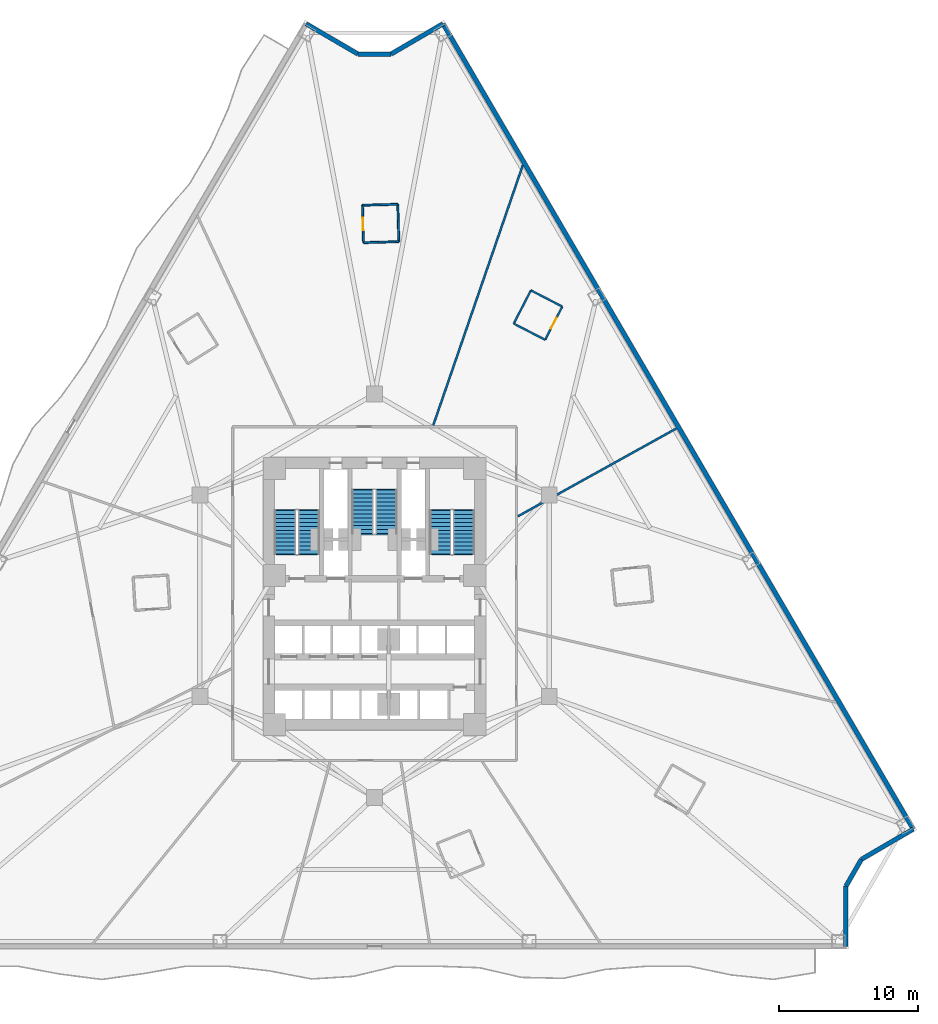
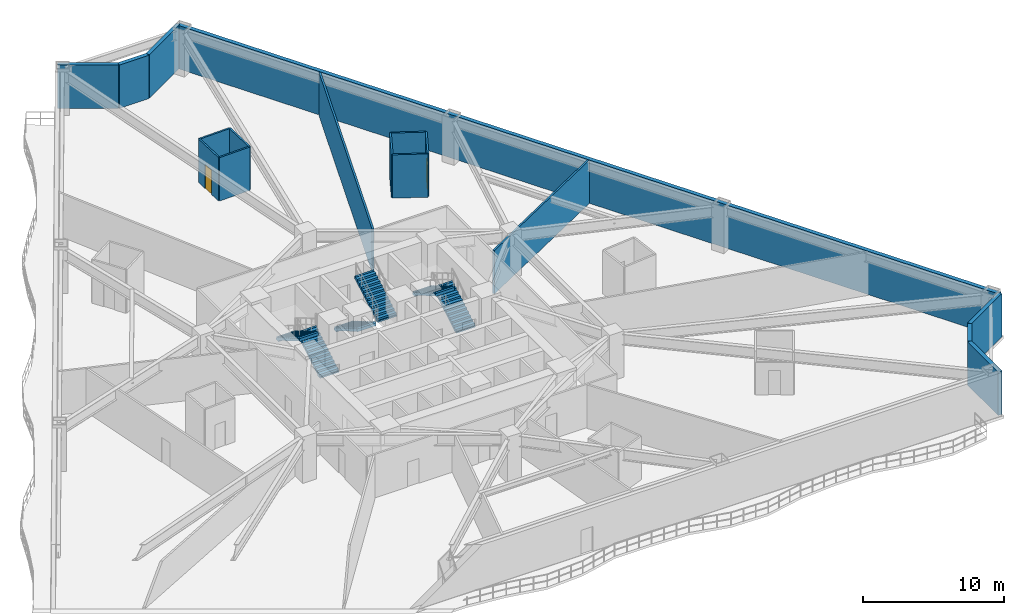
# One storey, part 7 of 11: 17 walls, 6 stair flights, 2 doors, 2 openings, 3 elements without a shape of their own.
"""IFC4 building model written with IfcOpenShell, lengths in metres."""

from ifc_helpers import new_model, si_unit, direction, frame, frame_2d, origin, place, context, subcontext, project, spatial, polyline, rectangle, outline, extrude, material, layer, layer_set, type_object, element, fill, aggregate, save


model = new_model("IFC4")

# Units and contexts
model_context = context("Model", 3, precision=1e-05, world=origin(), true_north=direction((0.0, 1.0)))
body_context = subcontext(model_context, "Body", "Model", "MODEL_VIEW")
ifc_project = project(units=[si_unit("LENGTHUNIT", "METRE"), si_unit("AREAUNIT", "SQUARE_METRE"), si_unit("VOLUMEUNIT", "CUBIC_METRE"), si_unit("PLANEANGLEUNIT", "RADIAN"), si_unit("MASSUNIT", "GRAM", prefix="KILO")], contexts=[model_context])

# Site, building, storey
site_placement = place(None, origin())
site = spatial("IfcSite", under=ifc_project, at=site_placement, CompositionType="ELEMENT")
building_placement = place(site_placement, origin())
building = spatial("IfcBuilding", under=site, at=building_placement, Name="Apsidion Concourse Tower", CompositionType="ELEMENT")
storey_placement = place(building_placement, frame((0.0, 0.0, 46.39990234375)))
storey = spatial("IfcBuildingStorey", under=building, at=storey_placement, Name="L09", CompositionType="ELEMENT", Elevation=46.39990234375)

# Walls
ifc_material_1 = material(Name="Precast concrete C40/50", Category="concrete")
ifc_layer_1 = layer(ifc_material_1, 0.320068359375)
ifc_layer_set_1 = layer_set([ifc_layer_1], Name="Precast concrete C40/50")
wall_type_1 = type_object("IfcWallType", Name="WL-EXT-320", PredefinedType="STANDARD", material=ifc_layer_set_1)
wall_1_placement = place(storey_placement, frame((4.9228515625, 41.121826171875, 0.0), z_axis=(0.0, 0.0, 1.0), x_axis=(0.504213113214, -0.863579258935, 0.0)))
element("IfcWall", 1, at=wall_1_placement, inside=storey, type_object=wall_type_1, Name="L09 Precast Stone Facade Wall 01", PredefinedType="STANDARD", context=body_context, shape_type="SweptSolid", body=[
    extrude(rectangle(XDim=67.041015625, YDim=0.320068359375, at=frame_2d((33.5205078125, 0.0))), origin(), (0.0, 0.0, 1.0), 3.75),
])
wall_2_placement = place(storey_placement, frame((38.725830078125, -16.7734375, 0.0), z_axis=(0.0, 0.0, 1.0), x_axis=(-0.863569936823, -0.504229079105, 0.0)))
element("IfcWall", 2, at=wall_2_placement, inside=storey, type_object=wall_type_1, Name="L09 Precast Stone Facade Wall 02", PredefinedType="STANDARD", context=body_context, shape_type="SweptSolid", body=[
    extrude(rectangle(XDim=4.32373046875, YDim=0.320068359375, at=frame_2d((2.161865234375, 0.0))), origin(), (0.0, 0.0, 1.0), 3.75),
])
wall_3_placement = place(storey_placement, frame((34.991943359375, -18.95361328125, 0.0), z_axis=(0.0, 0.0, 1.0), x_axis=(-0.497881323344, -0.867245171717, 0.0)))
element("IfcWall", 3, at=wall_3_placement, inside=storey, type_object=wall_type_1, Name="L09 Precast Stone Facade Wall 03", PredefinedType="STANDARD", context=body_context, shape_type="SweptSolid", body=[
    extrude(rectangle(XDim=2.216796875, YDim=0.320068359375, at=frame_2d((1.1083984375, 0.0))), origin(), (0.0, 0.0, 1.0), 3.75),
])
wall_4_placement = place(storey_placement, frame((33.88818359375, -20.876220703125, 0.0), z_axis=(0.0, 0.0, 1.0), x_axis=(0.0, -1.0, 0.0)))
element("IfcWall", 4, at=wall_4_placement, inside=storey, type_object=wall_type_1, Name="L09 Precast Stone Facade Wall 04", PredefinedType="STANDARD", context=body_context, shape_type="SweptSolid", body=[
    extrude(rectangle(XDim=4.32373046875, YDim=0.320068359375, at=frame_2d((2.161865234375, 0.0))), origin(), (0.0, 0.0, 1.0), 3.75),
])
wall_5_placement = place(storey_placement, frame((-4.9228515625, 41.121826171875, 0.0), z_axis=(0.0, 0.0, 1.0), x_axis=(0.863588414101, -0.50419743259, 0.0)))
element("IfcWall", 5, at=wall_5_placement, inside=storey, type_object=wall_type_1, Name="L09 Precast Stone Facade Wall 10", PredefinedType="STANDARD", context=body_context, shape_type="SweptSolid", body=[
    extrude(rectangle(XDim=4.324462890625, YDim=0.320068359375, at=frame_2d((2.162109375, 0.0))), origin(), (0.0, 0.0, 1.0), 3.75),
])
wall_6_placement = place(storey_placement, frame((-1.188232421875, 38.94140625, 0.0), z_axis=(0.0, 0.0, 1.0), x_axis=(1.0, 0.0, 0.0)))
element("IfcWall", 6, at=wall_6_placement, inside=storey, type_object=wall_type_1, Name="L09 Precast Stone Facade Wall 11", PredefinedType="STANDARD", context=body_context, shape_type="SweptSolid", body=[
    extrude(rectangle(XDim=2.37646484375, YDim=0.320068359375, at=frame_2d((1.188232421875, 0.0))), origin(), (0.0, 0.0, 1.0), 3.75),
])
wall_7_placement = place(storey_placement, frame((1.188232421875, 38.94140625, 0.0), z_axis=(0.0, 0.0, 1.0), x_axis=(0.863588414101, 0.50419743259, 0.0)))
element("IfcWall", 7, at=wall_7_placement, inside=storey, type_object=wall_type_1, Name="L09 Precast Stone Facade Wall 12", PredefinedType="STANDARD", context=body_context, shape_type="SweptSolid", body=[
    extrude(rectangle(XDim=4.324462890625, YDim=0.320068359375, at=frame_2d((2.162109375, 0.0))), origin(), (0.0, 0.0, 1.0), 3.75),
])

# Wall, opening, door
ifc_material_2 = material(Name="Gypsum plasterboard partition")
ifc_layer_2 = layer(ifc_material_2, 0.139892578125)
ifc_layer_set_2 = layer_set([ifc_layer_2], Name="Gypsum plasterboard partition")
wall_type_2 = type_object("IfcWallType", Name="WL-INT-PAR-140", PredefinedType="PARTITIONING", material=ifc_layer_set_2)
wall_8_placement = place(storey_placement, frame((12.263427734375, 18.403076171875, 0.0), z_axis=(0.0, 0.0, 1.0), x_axis=(0.45868453164, 0.888599178727, 0.0)))
wall_8 = element("IfcWall", 8, at=wall_8_placement, inside=storey, type_object=wall_type_2, Name="L09 Interior Partition WL-L09-POD-ENS07-S1", PredefinedType="PARTITIONING", context=body_context, shape_type="SweptSolid", body=[
    extrude(rectangle(XDim=2.68994140625, YDim=0.139892578125, at=frame_2d((1.344970703125, 0.0))), origin(), (0.0, 0.0, 1.0), 3.75),
])
opening_1_placement = place(wall_8_placement, frame((0.905029296875, 0.0, 0.0)))
opening_1 = element("IfcOpeningElement", 9, at=opening_1_placement, cuts=wall_8, Name="Opening D-03R", PredefinedType="OPENING", context=body_context, shape_type="SweptSolid", body=[
    extrude(rectangle(XDim=0.8798828125, YDim=2.10009765625, at=frame_2d((0.43994140625, 1.050048828125))), frame((0.0, 0.080078125, 0.0), z_axis=(0.0, -1.0, 0.0), x_axis=(1.0, 0.0, 0.0)), (0.0, 0.0, 1.0), 0.159912109375),
])
ifc_material_3 = material(Name="Anodised aluminium EN AW-6063 T6", Category="aluminium")
door_type_1 = type_object("IfcDoorType", Name="DR-INT-D03R", OperationType="SINGLE_SWING_RIGHT", PredefinedType="DOOR", material=ifc_material_3)
door_1_placement = place(opening_1_placement, origin())
door_1 = element("IfcDoor", 10, at=door_1_placement, inside=storey, type_object=door_type_1, Name="L09 Guest En-Suite Bathroom Door ENS07", OperationType="SINGLE_SWING_RIGHT", OverallHeight=2.10009765625, OverallWidth=0.8798828125, PredefinedType="DOOR", context=body_context, shape_type="SweptSolid", body=[
    extrude(rectangle(XDim=0.8798828125, YDim=2.10009765625, at=frame_2d((0.43994140625, 1.050048828125))), frame((0.0, 0.02490234375, 0.0), z_axis=(0.0, -1.0, 0.0), x_axis=(1.0, 0.0, 0.0)), (0.0, 0.0, 1.0), 0.050048828125),
])
fill(opening_1, door_1)

# Walls
wall_9_placement = place(storey_placement, frame((13.497314453125, 20.79345703125, 0.0), z_axis=(0.0, 0.0, 1.0), x_axis=(-0.888625711224, 0.458633127186, 0.0)))
element("IfcWall", 11, at=wall_9_placement, inside=storey, type_object=wall_type_2, Name="L09 Interior Partition WL-L09-POD-ENS07-S2", PredefinedType="PARTITIONING", context=body_context, shape_type="SweptSolid", body=[
    extrude(rectangle(XDim=2.540283203125, YDim=0.139892578125, at=frame_2d((1.27001953125, 0.0))), origin(), (0.0, 0.0, 1.0), 3.75),
])
wall_10_placement = place(storey_placement, frame((11.239990234375, 21.95849609375, 0.0), z_axis=(0.0, 0.0, 1.0), x_axis=(-0.458612864877, -0.888636168614, 0.0)))
element("IfcWall", 12, at=wall_10_placement, inside=storey, type_object=wall_type_2, Name="L09 Interior Partition WL-L09-POD-ENS07-S3", PredefinedType="PARTITIONING", context=body_context, shape_type="SweptSolid", body=[
    extrude(rectangle(XDim=2.68994140625, YDim=0.139892578125, at=frame_2d((1.344970703125, 0.0))), origin(), (0.0, 0.0, 1.0), 3.75),
])
wall_11_placement = place(storey_placement, frame((10.00634765625, 19.568115234375, 0.0), z_axis=(0.0, 0.0, 1.0), x_axis=(0.888605492606, -0.458672299699, 0.0)))
element("IfcWall", 13, at=wall_11_placement, inside=storey, type_object=wall_type_2, Name="L09 Interior Partition WL-L09-POD-ENS07-S4", PredefinedType="PARTITIONING", context=body_context, shape_type="SweptSolid", body=[
    extrude(rectangle(XDim=2.5400390625, YDim=0.139892578125, at=frame_2d((1.27001953125, 0.0))), origin(), (0.0, 0.0, 1.0), 3.75),
])
wall_12_placement = place(storey_placement, frame((1.74560546875, 25.458740234375, 0.0), z_axis=(0.0, 0.0, 1.0), x_axis=(-0.027953481145, 0.999609225093, 0.0)))
element("IfcWall", 14, at=wall_12_placement, inside=storey, type_object=wall_type_2, Name="L09 Interior Partition WL-L09-POD-ENS08-S1", PredefinedType="PARTITIONING", context=body_context, shape_type="SweptSolid", body=[
    extrude(rectangle(XDim=2.68994140625, YDim=0.139892578125, at=frame_2d((1.344970703125, 0.0))), origin(), (0.0, 0.0, 1.0), 3.75),
])
wall_13_placement = place(storey_placement, frame((1.67041015625, 28.147705078125, 0.0), z_axis=(0.0, 0.0, 1.0), x_axis=(-0.999611450686, -0.027873780836, 0.0)))
element("IfcWall", 15, at=wall_13_placement, inside=storey, type_object=wall_type_2, Name="L09 Interior Partition WL-L09-POD-ENS08-S2", PredefinedType="PARTITIONING", context=body_context, shape_type="SweptSolid", body=[
    extrude(rectangle(XDim=2.5400390625, YDim=0.139892578125, at=frame_2d((1.27001953125, 0.0))), origin(), (0.0, 0.0, 1.0), 3.75),
])

# Wall, opening, door
wall_14_placement = place(storey_placement, frame((-0.86865234375, 28.076904296875, 0.0), z_axis=(0.0, 0.0, 1.0), x_axis=(0.027950945363, -0.999609296002, 0.0)))
wall_14 = element("IfcWall", 16, at=wall_14_placement, inside=storey, type_object=wall_type_2, Name="L09 Interior Partition WL-L09-POD-ENS08-S3", PredefinedType="PARTITIONING", context=body_context, shape_type="SweptSolid", body=[
    extrude(rectangle(XDim=2.690185546875, YDim=0.139892578125, at=frame_2d((1.34521484375, 0.0))), origin(), (0.0, 0.0, 1.0), 3.75),
])
opening_2_placement = place(wall_14_placement, frame((0.905029296875, 0.0, 0.0)))
opening_2 = element("IfcOpeningElement", 17, at=opening_2_placement, cuts=wall_14, Name="Opening D-03L", PredefinedType="OPENING", context=body_context, shape_type="SweptSolid", body=[
    extrude(rectangle(XDim=0.8798828125, YDim=2.10009765625, at=frame_2d((0.43994140625, 1.050048828125))), frame((0.0, 0.080078125, 0.0), z_axis=(0.0, -1.0, 0.0), x_axis=(1.0, 0.0, 0.0)), (0.0, 0.0, 1.0), 0.159912109375),
])
door_type_2 = type_object("IfcDoorType", Name="DR-INT-D03L", OperationType="SINGLE_SWING_LEFT", PredefinedType="DOOR", material=ifc_material_3)
door_2_placement = place(opening_2_placement, origin())
door_2 = element("IfcDoor", 18, at=door_2_placement, inside=storey, type_object=door_type_2, Name="L09 Guest En-Suite Bathroom Door ENS08", OperationType="SINGLE_SWING_LEFT", OverallHeight=2.10009765625, OverallWidth=0.8798828125, PredefinedType="DOOR", context=body_context, shape_type="SweptSolid", body=[
    extrude(rectangle(XDim=0.8798828125, YDim=2.10009765625, at=frame_2d((0.43994140625, 1.050048828125))), frame((0.0, 0.02490234375, 0.0), z_axis=(0.0, -1.0, 0.0), x_axis=(1.0, 0.0, 0.0)), (0.0, 0.0, 1.0), 0.050048828125),
])
fill(opening_2, door_2)

# Walls
wall_15_placement = place(storey_placement, frame((-0.79345703125, 25.3876953125, 0.0), z_axis=(0.0, 0.0, 1.0), x_axis=(0.99960876799, 0.027969822258, 0.0)))
element("IfcWall", 19, at=wall_15_placement, inside=storey, type_object=wall_type_2, Name="L09 Interior Partition WL-L09-POD-ENS08-S4", PredefinedType="PARTITIONING", context=body_context, shape_type="SweptSolid", body=[
    extrude(rectangle(XDim=2.5400390625, YDim=0.139892578125, at=frame_2d((1.27001953125, 0.0))), origin(), (0.0, 0.0, 1.0), 3.75),
])
ifc_layer_3 = layer(ifc_material_2, 0.14990234375)
ifc_layer_set_3 = layer_set([ifc_layer_3], Name="Gypsum plasterboard partition")
wall_type_3 = type_object("IfcWallType", Name="WL-INT-PAR-150", PredefinedType="PARTITIONING", material=ifc_layer_set_3)
wall_16_placement = place(storey_placement, frame((10.304931640625, 5.712158203125, 0.0), z_axis=(0.0, 0.0, 1.0), x_axis=(0.874623369723, 0.484803012711, 0.0)))
element("IfcWall", 20, at=wall_16_placement, inside=storey, type_object=wall_type_3, Name="L09 Interior Partition WL-L09-RAD-01-1", PredefinedType="PARTITIONING", context=body_context, shape_type="SweptSolid", body=[
    extrude(rectangle(XDim=13.034423828125, YDim=0.14990234375, at=frame_2d((6.51708984375, 0.0))), origin(), (0.0, 0.0, 1.0), 3.75),
])
wall_17_placement = place(storey_placement, frame((4.2197265625, 12.2548828125, 0.0), z_axis=(0.0, 0.0, 1.0), x_axis=(0.325564509199, 0.945519830755, 0.0)))
element("IfcWall", 21, at=wall_17_placement, inside=storey, type_object=wall_type_3, Name="L09 Interior Partition WL-L09-RAD-02-1", PredefinedType="PARTITIONING", context=body_context, shape_type="SweptSolid", body=[
    extrude(rectangle(XDim=19.77490234375, YDim=0.14990234375, at=frame_2d((9.887451171875, 0.0))), origin(), (0.0, 0.0, 1.0), 3.75),
])

# Stair, stair flights
stair_type = type_object("IfcStairType", Name="ST-DL-1550", PredefinedType="HALF_TURN_STAIR", material=ifc_material_1)
stair_1_placement = place(storey_placement, origin())
stair_1 = element("IfcStair", 22, at=stair_1_placement, inside=storey, type_object=stair_type, Name="L09 Protected Core Exit Stair ST1", PredefinedType="HALF_TURN_STAIR")
stair_flight_type = type_object("IfcStairFlightType", Name="SFL-RC-1550", PredefinedType="STRAIGHT", material=ifc_material_1)
stair_flight_1_placement = place(storey_placement, frame((-4.72509765625, 3.0, 0.0), z_axis=(0.0, 0.0, 1.0), x_axis=(0.0, 1.0, 0.0)))
stair_flight_1 = element("IfcStairFlight", 23, at=stair_flight_1_placement, type_object=stair_flight_type, Name="ST1 flight 1", NumberOfRisers=12, NumberOfTreads=11, PredefinedType="STRAIGHT", RiserHeight=0.166666667, TreadLength=0.285, context=body_context, shape_type="SweptSolid", body=[
    extrude(outline(polyline([(-0.080078125, -0.1123046875), (-0.080078125, 0.0), (0.0, 0.0), (0.0, 0.166748046875), (0.284912109375, 0.166748046875), (0.284912109375, 0.333251953125), (0.570068359375, 0.333251953125), (0.570068359375, 0.5), (0.85498046875, 0.5), (0.85498046875, 0.666748046875), (1.139892578125, 0.666748046875), (1.139892578125, 0.833251953125), (1.425048828125, 0.833251953125), (1.425048828125, 1.0), (1.7099609375, 1.0), (1.7099609375, 1.166748046875), (1.9951171875, 1.166748046875), (1.9951171875, 1.333251953125), (2.280029296875, 1.333251953125), (2.280029296875, 1.5), (2.56494140625, 1.5), (2.56494140625, 1.666748046875), (2.85009765625, 1.666748046875), (2.85009765625, 1.833251953125), (3.135009765625, 1.833251953125), (3.135009765625, 2.0), (3.215087890625, 1.916748046875), (3.215087890625, 1.65966796875), (3.135009765625, 1.65966796875), (0.296875, 0.0), (0.296875, -0.1123046875), (-0.080078125, -0.1123046875)])), frame((0.0, 0.77490234375, 0.0), z_axis=(0.0, -1.0, 0.0), x_axis=(1.0, 0.0, 0.0)), (0.0, 0.0, 1.0), 1.550048828125),
])
stair_flight_2_placement = place(storey_placement, frame((-6.425048828125, 6.135009765625, 2.0), z_axis=(0.0, 0.0, 1.0), x_axis=(0.0, -1.0, 0.0)))
stair_flight_2 = element("IfcStairFlight", 24, at=stair_flight_2_placement, type_object=stair_flight_type, Name="ST1 flight 2", NumberOfRisers=12, NumberOfTreads=11, PredefinedType="STRAIGHT", RiserHeight=0.166666667, TreadLength=0.285, context=body_context, shape_type="SweptSolid", body=[
    extrude(outline(polyline([(-0.080078125, -0.1123046875), (-0.080078125, 0.0), (0.0, 0.0), (0.0, 0.166748046875), (0.284912109375, 0.166748046875), (0.284912109375, 0.333251953125), (0.570068359375, 0.333251953125), (0.570068359375, 0.5), (0.85498046875, 0.5), (0.85498046875, 0.666748046875), (1.139892578125, 0.666748046875), (1.139892578125, 0.833251953125), (1.425048828125, 0.833251953125), (1.425048828125, 1.0), (1.7099609375, 1.0), (1.7099609375, 1.166748046875), (1.9951171875, 1.166748046875), (1.9951171875, 1.333251953125), (2.280029296875, 1.333251953125), (2.280029296875, 1.5), (2.56494140625, 1.5), (2.56494140625, 1.666748046875), (2.85009765625, 1.666748046875), (2.85009765625, 1.833251953125), (3.135009765625, 1.833251953125), (3.135009765625, 2.0), (3.215087890625, 1.916748046875), (3.215087890625, 1.65966796875), (3.135009765625, 1.65966796875), (0.296875, 0.0), (0.296875, -0.1123046875), (-0.080078125, -0.1123046875)])), frame((0.0, 0.77490234375, 0.0), z_axis=(0.0, -1.0, 0.0), x_axis=(1.0, 0.0, 0.0)), (0.0, 0.0, 1.0), 1.550048828125),
])
aggregate(stair_1, [stair_flight_1, stair_flight_2])

stair_2_placement = place(storey_placement, origin())
stair_2 = element("IfcStair", 25, at=stair_2_placement, inside=storey, type_object=stair_type, Name="L09 Protected Core Exit Stair ST2", PredefinedType="HALF_TURN_STAIR")
stair_flight_3_placement = place(storey_placement, frame((6.425048828125, 3.0, 0.0), z_axis=(0.0, 0.0, 1.0), x_axis=(0.0, 1.0, 0.0)))
stair_flight_3 = element("IfcStairFlight", 26, at=stair_flight_3_placement, type_object=stair_flight_type, Name="ST2 flight 1", NumberOfRisers=12, NumberOfTreads=11, PredefinedType="STRAIGHT", RiserHeight=0.166666667, TreadLength=0.285, context=body_context, shape_type="SweptSolid", body=[
    extrude(outline(polyline([(-0.080078125, -0.1123046875), (-0.080078125, 0.0), (0.0, 0.0), (0.0, 0.166748046875), (0.284912109375, 0.166748046875), (0.284912109375, 0.333251953125), (0.570068359375, 0.333251953125), (0.570068359375, 0.5), (0.85498046875, 0.5), (0.85498046875, 0.666748046875), (1.139892578125, 0.666748046875), (1.139892578125, 0.833251953125), (1.425048828125, 0.833251953125), (1.425048828125, 1.0), (1.7099609375, 1.0), (1.7099609375, 1.166748046875), (1.9951171875, 1.166748046875), (1.9951171875, 1.333251953125), (2.280029296875, 1.333251953125), (2.280029296875, 1.5), (2.56494140625, 1.5), (2.56494140625, 1.666748046875), (2.85009765625, 1.666748046875), (2.85009765625, 1.833251953125), (3.135009765625, 1.833251953125), (3.135009765625, 2.0), (3.215087890625, 1.916748046875), (3.215087890625, 1.65966796875), (3.135009765625, 1.65966796875), (0.296875, 0.0), (0.296875, -0.1123046875), (-0.080078125, -0.1123046875)])), frame((0.0, 0.77490234375, 0.0), z_axis=(0.0, -1.0, 0.0), x_axis=(1.0, 0.0, 0.0)), (0.0, 0.0, 1.0), 1.550048828125),
])
stair_flight_4_placement = place(storey_placement, frame((4.72509765625, 6.135009765625, 2.0), z_axis=(0.0, 0.0, 1.0), x_axis=(0.0, -1.0, 0.0)))
stair_flight_4 = element("IfcStairFlight", 27, at=stair_flight_4_placement, type_object=stair_flight_type, Name="ST2 flight 2", NumberOfRisers=12, NumberOfTreads=11, PredefinedType="STRAIGHT", RiserHeight=0.166666667, TreadLength=0.285, context=body_context, shape_type="SweptSolid", body=[
    extrude(outline(polyline([(-0.080078125, -0.1123046875), (-0.080078125, 0.0), (0.0, 0.0), (0.0, 0.166748046875), (0.284912109375, 0.166748046875), (0.284912109375, 0.333251953125), (0.570068359375, 0.333251953125), (0.570068359375, 0.5), (0.85498046875, 0.5), (0.85498046875, 0.666748046875), (1.139892578125, 0.666748046875), (1.139892578125, 0.833251953125), (1.425048828125, 0.833251953125), (1.425048828125, 1.0), (1.7099609375, 1.0), (1.7099609375, 1.166748046875), (1.9951171875, 1.166748046875), (1.9951171875, 1.333251953125), (2.280029296875, 1.333251953125), (2.280029296875, 1.5), (2.56494140625, 1.5), (2.56494140625, 1.666748046875), (2.85009765625, 1.666748046875), (2.85009765625, 1.833251953125), (3.135009765625, 1.833251953125), (3.135009765625, 2.0), (3.215087890625, 1.916748046875), (3.215087890625, 1.65966796875), (3.135009765625, 1.65966796875), (0.296875, 0.0), (0.296875, -0.1123046875), (-0.080078125, -0.1123046875)])), frame((0.0, 0.77490234375, 0.0), z_axis=(0.0, -1.0, 0.0), x_axis=(1.0, 0.0, 0.0)), (0.0, 0.0, 1.0), 1.550048828125),
])
aggregate(stair_2, [stair_flight_3, stair_flight_4])

stair_3_placement = place(storey_placement, origin())
stair_3 = element("IfcStair", 28, at=stair_3_placement, inside=storey, type_object=stair_type, Name="L09 Protected Core Exit Stair ST3", PredefinedType="HALF_TURN_STAIR")
stair_flight_5_placement = place(storey_placement, frame((-0.85009765625, 7.60009765625, 0.0), z_axis=(0.0, 0.0, 1.0), x_axis=(0.0, -1.0, 0.0)))
stair_flight_5 = element("IfcStairFlight", 29, at=stair_flight_5_placement, type_object=stair_flight_type, Name="ST3 flight 1", NumberOfRisers=12, NumberOfTreads=11, PredefinedType="STRAIGHT", RiserHeight=0.166666667, TreadLength=0.285, context=body_context, shape_type="SweptSolid", body=[
    extrude(outline(polyline([(-0.080078125, -0.1123046875), (-0.080078125, 0.0), (0.0, 0.0), (0.0, 0.166748046875), (0.284912109375, 0.166748046875), (0.284912109375, 0.333251953125), (0.570068359375, 0.333251953125), (0.570068359375, 0.5), (0.85498046875, 0.5), (0.85498046875, 0.666748046875), (1.139892578125, 0.666748046875), (1.139892578125, 0.833251953125), (1.425048828125, 0.833251953125), (1.425048828125, 1.0), (1.7099609375, 1.0), (1.7099609375, 1.166748046875), (1.9951171875, 1.166748046875), (1.9951171875, 1.333251953125), (2.280029296875, 1.333251953125), (2.280029296875, 1.5), (2.56494140625, 1.5), (2.56494140625, 1.666748046875), (2.85009765625, 1.666748046875), (2.85009765625, 1.833251953125), (3.135009765625, 1.833251953125), (3.135009765625, 2.0), (3.215087890625, 1.916748046875), (3.215087890625, 1.65966796875), (3.135009765625, 1.65966796875), (0.296875, 0.0), (0.296875, -0.1123046875), (-0.080078125, -0.1123046875)])), frame((0.0, 0.77490234375, 0.0), z_axis=(0.0, -1.0, 0.0), x_axis=(1.0, 0.0, 0.0)), (0.0, 0.0, 1.0), 1.550048828125),
])
stair_flight_6_placement = place(storey_placement, frame((0.85009765625, 4.465087890625, 2.0), z_axis=(0.0, 0.0, 1.0), x_axis=(0.0, 1.0, 0.0)))
stair_flight_6 = element("IfcStairFlight", 30, at=stair_flight_6_placement, type_object=stair_flight_type, Name="ST3 flight 2", NumberOfRisers=12, NumberOfTreads=11, PredefinedType="STRAIGHT", RiserHeight=0.166666667, TreadLength=0.285, context=body_context, shape_type="SweptSolid", body=[
    extrude(outline(polyline([(-0.080078125, -0.1123046875), (-0.080078125, 0.0), (0.0, 0.0), (0.0, 0.166748046875), (0.284912109375, 0.166748046875), (0.284912109375, 0.333251953125), (0.570068359375, 0.333251953125), (0.570068359375, 0.5), (0.85498046875, 0.5), (0.85498046875, 0.666748046875), (1.139892578125, 0.666748046875), (1.139892578125, 0.833251953125), (1.425048828125, 0.833251953125), (1.425048828125, 1.0), (1.7099609375, 1.0), (1.7099609375, 1.166748046875), (1.9951171875, 1.166748046875), (1.9951171875, 1.333251953125), (2.280029296875, 1.333251953125), (2.280029296875, 1.5), (2.56494140625, 1.5), (2.56494140625, 1.666748046875), (2.85009765625, 1.666748046875), (2.85009765625, 1.833251953125), (3.135009765625, 1.833251953125), (3.135009765625, 2.0), (3.215087890625, 1.916748046875), (3.215087890625, 1.65966796875), (3.135009765625, 1.65966796875), (0.296875, 0.0), (0.296875, -0.1123046875), (-0.080078125, -0.1123046875)])), frame((0.0, 0.77490234375, 0.0), z_axis=(0.0, -1.0, 0.0), x_axis=(1.0, 0.0, 0.0)), (0.0, 0.0, 1.0), 1.550048828125),
])
aggregate(stair_3, [stair_flight_5, stair_flight_6])

save(model, "model.ifc")
